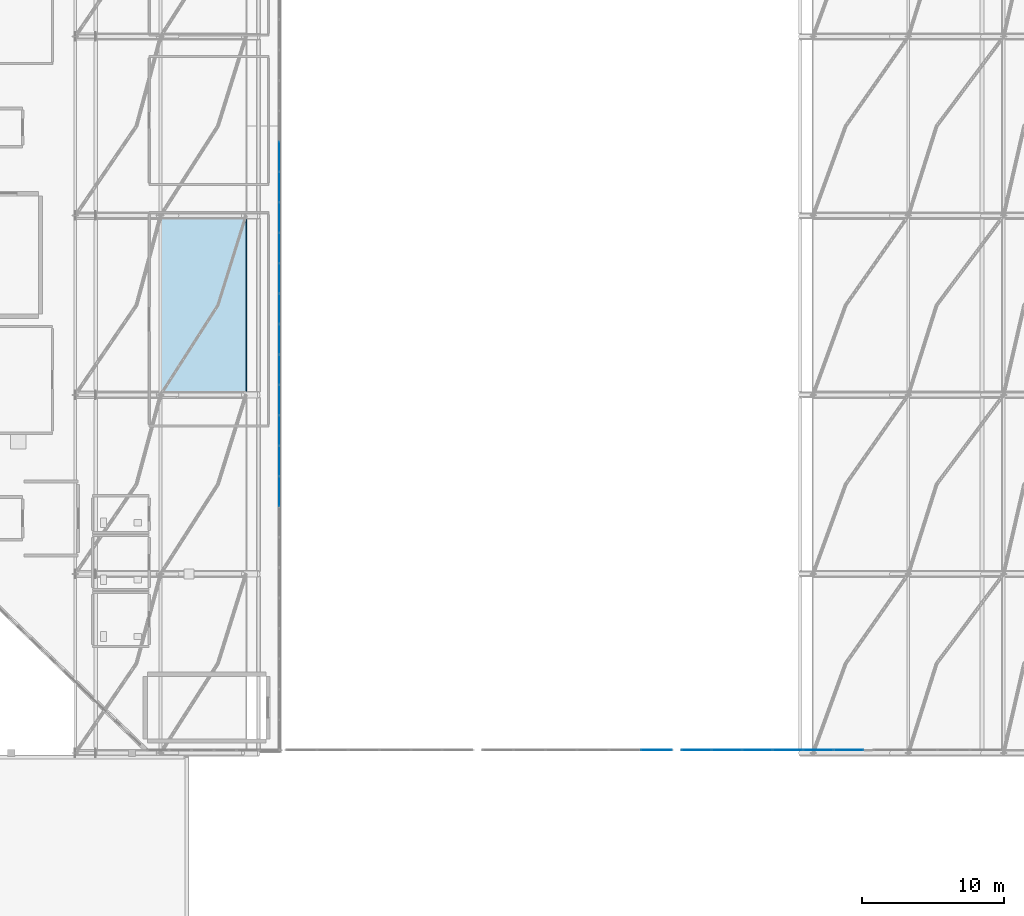
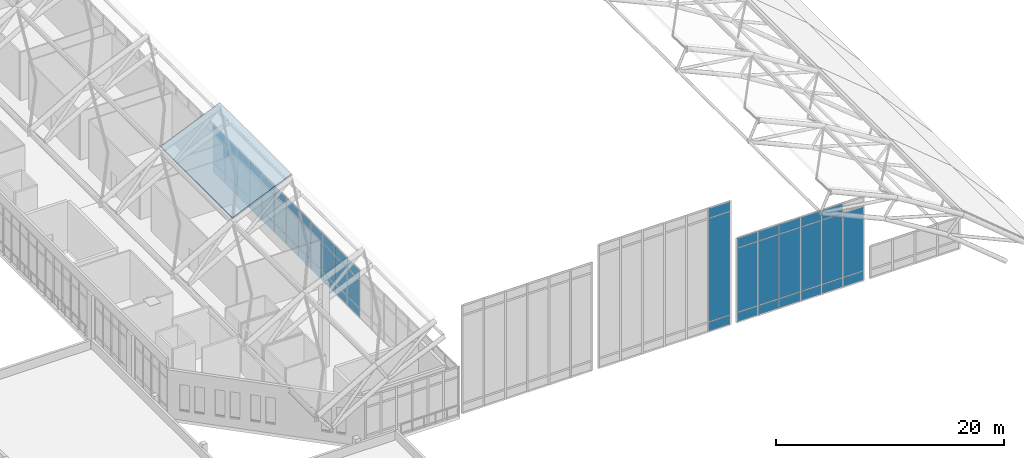
# One storey, part 26 of 42: 56 plates, 1 slab, 3 elements without a shape of their own.
"""IFC4 building model written with IfcOpenShell, lengths in metres."""

from ifc_helpers import new_model, si_unit, derived_unit, direction, frame, origin, origin_2d, place, context, subcontext, project, spatial, polyline, rectangle, outline, extrude, material, layer, layer_set, type_object, element, aggregate, save


model = new_model("IFC4")

# Units and contexts
model_context = context("Model", 3, precision=1e-05, world=origin(), true_north=direction((0.0, 1.0)))
body_context = subcontext(model_context, "Body", "Model", "MODEL_VIEW")
ifc_project = project(units=[si_unit("LENGTHUNIT", "METRE"), si_unit("AREAUNIT", "SQUARE_METRE"), si_unit("VOLUMEUNIT", "CUBIC_METRE"), si_unit("PLANEANGLEUNIT", "RADIAN"), si_unit("MASSUNIT", "GRAM", prefix="KILO"), derived_unit("THERMALTRANSMITTANCEUNIT", [(si_unit("MASSUNIT", "GRAM", prefix="KILO"), 1), (si_unit("TIMEUNIT", "SECOND"), -3), (si_unit("THERMODYNAMICTEMPERATUREUNIT", "KELVIN"), -1)])], contexts=[model_context])

# Site, building, storey
site_placement = place(None, origin())
site = spatial("IfcSite", under=ifc_project, at=site_placement, CompositionType="ELEMENT")
building_placement = place(site_placement, origin())
building = spatial("IfcBuilding", under=site, at=building_placement, Name="Valcora Ridge Arena", CompositionType="ELEMENT")
storey_placement = place(building_placement, frame((0.0, 0.0, 26.39990234375)))
storey = spatial("IfcBuildingStorey", under=building, at=storey_placement, Name="L05", CompositionType="ELEMENT", Elevation=26.39990234375)

# Curtain wall, plates
ifc_material_1 = material(Name="Anodised dark bronze architectural aluminium 6063-T6", Category="aluminium")
ifc_layer_1 = layer(ifc_material_1, 0.179931640625, Name="Anodised dark bronze architectural aluminium 6063-T6")
ifc_layer_set_1 = layer_set([ifc_layer_1], Name="Anodised dark bronze architectural aluminium 6063-T6")
curtain_wall_type_1 = type_object("IfcCurtainWallType", Name="TY-CURTAINWALL-CW-V1-TYMPS-129X90", PredefinedType="NOTDEFINED", material=ifc_layer_set_1)
curtain_wall_1_placement = place(storey_placement, origin())
curtain_wall_1 = element("IfcCurtainWall", 1, at=curtain_wall_1_placement, inside=storey, type_object=curtain_wall_type_1, Name="CW-V1-TYMPS-129X90 CW-0176", PredefinedType="NOTDEFINED")
ifc_material_2 = material(Name="Low-iron solar-control double glazing SHGC 0.28", Category="glass")
ifc_layer_2 = layer(ifc_material_2, 0.031982421875, Name="Low-iron solar-control double glazing SHGC 0.28")
ifc_layer_set_2 = layer_set([ifc_layer_2], Name="Low-iron solar-control double glazing SHGC 0.28")
plate_type_1 = type_object("IfcPlateType", Name="TY-PLT-CWP-2060X0960", PredefinedType="CURTAIN_PANEL", material=ifc_layer_set_2)
plate_1_placement = place(storey_placement, frame((67.68994140625, 20.219970703125, 0.06005859375), z_axis=(0.0, 0.0, 1.0), x_axis=(1.0, 0.0, 0.0)))
plate_1 = element("IfcPlate", 2, at=plate_1_placement, type_object=plate_type_1, Name="CW-0176/P00-00", PredefinedType="CURTAIN_PANEL", context=body_context, shape_type="SweptSolid", body=[
    extrude(rectangle(XDim=2.06005859375, YDim=0.031982421875, at=origin_2d()), origin(), (0.0, 0.0, 1.0), 0.9599609375),
])
plate_2_placement = place(storey_placement, frame((78.409912109375, 20.219970703125, 0.06005859375), z_axis=(0.0, 0.0, 1.0), x_axis=(1.0, 0.0, 0.0)))
plate_2 = element("IfcPlate", 3, at=plate_2_placement, type_object=plate_type_1, Name="CW-0176/P05-00", PredefinedType="CURTAIN_PANEL", context=body_context, shape_type="SweptSolid", body=[
    extrude(rectangle(XDim=2.06005859375, YDim=0.031982421875, at=origin_2d()), origin(), (0.0, 0.0, 1.0), 0.9599609375),
])
ifc_layer_3 = layer(ifc_material_2, 0.031982421875, Name="Low-iron solar-control double glazing SHGC 0.28")
ifc_layer_set_3 = layer_set([ifc_layer_3], Name="Low-iron solar-control double glazing SHGC 0.28")
plate_type_2 = type_object("IfcPlateType", Name="TY-PLT-CWP-2060X1010", PredefinedType="CURTAIN_PANEL", material=ifc_layer_set_3)
plate_3_placement = place(storey_placement, frame((67.68994140625, 20.219970703125, 7.97314453125), z_axis=(0.0, 0.0, 1.0), x_axis=(1.0, 0.0, 0.0)))
plate_3 = element("IfcPlate", 4, at=plate_3_placement, type_object=plate_type_2, Name="CW-0176/P00-02", PredefinedType="CURTAIN_PANEL", context=body_context, shape_type="SweptSolid", body=[
    extrude(rectangle(XDim=2.06005859375, YDim=0.031982421875, at=origin_2d()), origin(), (0.0, 0.0, 1.0), 1.010009765625),
])
ifc_layer_4 = layer(ifc_material_2, 0.031982421875, Name="Low-iron solar-control double glazing SHGC 0.28")
ifc_layer_set_4 = layer_set([ifc_layer_4], Name="Low-iron solar-control double glazing SHGC 0.28")
plate_type_3 = type_object("IfcPlateType", Name="TY-PLT-CWP-2060X6833", PredefinedType="CURTAIN_PANEL", material=ifc_layer_set_4)
plate_4_placement = place(storey_placement, frame((67.68994140625, 20.219970703125, 1.080078125), z_axis=(0.0, 0.0, 1.0), x_axis=(1.0, 0.0, 0.0)))
plate_4 = element("IfcPlate", 5, at=plate_4_placement, type_object=plate_type_3, Name="CW-0176/P00-01", PredefinedType="CURTAIN_PANEL", context=body_context, shape_type="SweptSolid", body=[
    extrude(rectangle(XDim=2.06005859375, YDim=0.031982421875, at=origin_2d()), origin(), (0.0, 0.0, 1.0), 6.8330078125),
])
plate_5_placement = place(storey_placement, frame((78.409912109375, 20.219970703125, 1.080078125), z_axis=(0.0, 0.0, 1.0), x_axis=(1.0, 0.0, 0.0)))
plate_5 = element("IfcPlate", 6, at=plate_5_placement, type_object=plate_type_3, Name="CW-0176/P05-01", PredefinedType="CURTAIN_PANEL", context=body_context, shape_type="SweptSolid", body=[
    extrude(rectangle(XDim=2.06005859375, YDim=0.031982421875, at=origin_2d()), origin(), (0.0, 0.0, 1.0), 6.8330078125),
])
ifc_layer_5 = layer(ifc_material_2, 0.031982421875, Name="Low-iron solar-control double glazing SHGC 0.28")
ifc_layer_set_5 = layer_set([ifc_layer_5], Name="Low-iron solar-control double glazing SHGC 0.28")
plate_type_4 = type_object("IfcPlateType", Name="TY-PLT-CWP-2090X0960", PredefinedType="CURTAIN_PANEL", material=ifc_layer_set_5)
plate_6_placement = place(storey_placement, frame((69.824951171875, 20.219970703125, 0.06005859375), z_axis=(0.0, 0.0, 1.0), x_axis=(1.0, 0.0, 0.0)))
plate_6 = element("IfcPlate", 7, at=plate_6_placement, type_object=plate_type_4, Name="CW-0176/P01-00", PredefinedType="CURTAIN_PANEL", context=body_context, shape_type="SweptSolid", body=[
    extrude(rectangle(XDim=2.090087890625, YDim=0.031982421875, at=origin_2d()), origin(), (0.0, 0.0, 1.0), 0.9599609375),
])
plate_7_placement = place(storey_placement, frame((71.97509765625, 20.219970703125, 0.06005859375), z_axis=(0.0, 0.0, 1.0), x_axis=(1.0, 0.0, 0.0)))
plate_7 = element("IfcPlate", 8, at=plate_7_placement, type_object=plate_type_4, Name="CW-0176/P02-00", PredefinedType="CURTAIN_PANEL", context=body_context, shape_type="SweptSolid", body=[
    extrude(rectangle(XDim=2.090087890625, YDim=0.031982421875, at=origin_2d()), origin(), (0.0, 0.0, 1.0), 0.9599609375),
])
plate_8_placement = place(storey_placement, frame((74.125, 20.219970703125, 0.06005859375), z_axis=(0.0, 0.0, 1.0), x_axis=(1.0, 0.0, 0.0)))
plate_8 = element("IfcPlate", 9, at=plate_8_placement, type_object=plate_type_4, Name="CW-0176/P03-00", PredefinedType="CURTAIN_PANEL", context=body_context, shape_type="SweptSolid", body=[
    extrude(rectangle(XDim=2.090087890625, YDim=0.031982421875, at=origin_2d()), origin(), (0.0, 0.0, 1.0), 0.9599609375),
])
plate_9_placement = place(storey_placement, frame((76.27490234375, 20.219970703125, 0.06005859375), z_axis=(0.0, 0.0, 1.0), x_axis=(1.0, 0.0, 0.0)))
plate_9 = element("IfcPlate", 10, at=plate_9_placement, type_object=plate_type_4, Name="CW-0176/P04-00", PredefinedType="CURTAIN_PANEL", context=body_context, shape_type="SweptSolid", body=[
    extrude(rectangle(XDim=2.090087890625, YDim=0.031982421875, at=origin_2d()), origin(), (0.0, 0.0, 1.0), 0.9599609375),
])
ifc_layer_6 = layer(ifc_material_2, 0.031982421875, Name="Low-iron solar-control double glazing SHGC 0.28")
ifc_layer_set_6 = layer_set([ifc_layer_6], Name="Low-iron solar-control double glazing SHGC 0.28")
plate_type_5 = type_object("IfcPlateType", Name="TY-PLT-CWP-2090X1010", PredefinedType="CURTAIN_PANEL", material=ifc_layer_set_6)
plate_10_placement = place(storey_placement, frame((69.824951171875, 20.219970703125, 7.97314453125), z_axis=(0.0, 0.0, 1.0), x_axis=(1.0, 0.0, 0.0)))
plate_10 = element("IfcPlate", 11, at=plate_10_placement, type_object=plate_type_5, Name="CW-0176/P01-02", PredefinedType="CURTAIN_PANEL", context=body_context, shape_type="SweptSolid", body=[
    extrude(rectangle(XDim=2.090087890625, YDim=0.031982421875, at=origin_2d()), origin(), (0.0, 0.0, 1.0), 1.010009765625),
])
plate_11_placement = place(storey_placement, frame((71.97509765625, 20.219970703125, 7.97314453125), z_axis=(0.0, 0.0, 1.0), x_axis=(1.0, 0.0, 0.0)))
plate_11 = element("IfcPlate", 12, at=plate_11_placement, type_object=plate_type_5, Name="CW-0176/P02-02", PredefinedType="CURTAIN_PANEL", context=body_context, shape_type="SweptSolid", body=[
    extrude(rectangle(XDim=2.090087890625, YDim=0.031982421875, at=origin_2d()), origin(), (0.0, 0.0, 1.0), 1.010009765625),
])
plate_12_placement = place(storey_placement, frame((74.125, 20.219970703125, 7.97314453125), z_axis=(0.0, 0.0, 1.0), x_axis=(1.0, 0.0, 0.0)))
plate_12 = element("IfcPlate", 13, at=plate_12_placement, type_object=plate_type_5, Name="CW-0176/P03-02", PredefinedType="CURTAIN_PANEL", context=body_context, shape_type="SweptSolid", body=[
    extrude(rectangle(XDim=2.090087890625, YDim=0.031982421875, at=origin_2d()), origin(), (0.0, 0.0, 1.0), 1.010009765625),
])
plate_13_placement = place(storey_placement, frame((76.27490234375, 20.219970703125, 7.97314453125), z_axis=(0.0, 0.0, 1.0), x_axis=(1.0, 0.0, 0.0)))
plate_13 = element("IfcPlate", 14, at=plate_13_placement, type_object=plate_type_5, Name="CW-0176/P04-02", PredefinedType="CURTAIN_PANEL", context=body_context, shape_type="SweptSolid", body=[
    extrude(rectangle(XDim=2.090087890625, YDim=0.031982421875, at=origin_2d()), origin(), (0.0, 0.0, 1.0), 1.010009765625),
])
ifc_layer_7 = layer(ifc_material_2, 0.031982421875, Name="Low-iron solar-control double glazing SHGC 0.28")
ifc_layer_set_7 = layer_set([ifc_layer_7], Name="Low-iron solar-control double glazing SHGC 0.28")
plate_type_6 = type_object("IfcPlateType", Name="TY-PLT-CWP-2090X6833", PredefinedType="CURTAIN_PANEL", material=ifc_layer_set_7)
plate_14_placement = place(storey_placement, frame((69.824951171875, 20.219970703125, 1.080078125), z_axis=(0.0, 0.0, 1.0), x_axis=(1.0, 0.0, 0.0)))
plate_14 = element("IfcPlate", 15, at=plate_14_placement, type_object=plate_type_6, Name="CW-0176/P01-01", PredefinedType="CURTAIN_PANEL", context=body_context, shape_type="SweptSolid", body=[
    extrude(rectangle(XDim=2.090087890625, YDim=0.031982421875, at=origin_2d()), origin(), (0.0, 0.0, 1.0), 6.8330078125),
])
plate_15_placement = place(storey_placement, frame((71.97509765625, 20.219970703125, 1.080078125), z_axis=(0.0, 0.0, 1.0), x_axis=(1.0, 0.0, 0.0)))
plate_15 = element("IfcPlate", 16, at=plate_15_placement, type_object=plate_type_6, Name="CW-0176/P02-01", PredefinedType="CURTAIN_PANEL", context=body_context, shape_type="SweptSolid", body=[
    extrude(rectangle(XDim=2.090087890625, YDim=0.031982421875, at=origin_2d()), origin(), (0.0, 0.0, 1.0), 6.8330078125),
])
plate_16_placement = place(storey_placement, frame((74.125, 20.219970703125, 1.080078125), z_axis=(0.0, 0.0, 1.0), x_axis=(1.0, 0.0, 0.0)))
plate_16 = element("IfcPlate", 17, at=plate_16_placement, type_object=plate_type_6, Name="CW-0176/P03-01", PredefinedType="CURTAIN_PANEL", context=body_context, shape_type="SweptSolid", body=[
    extrude(rectangle(XDim=2.090087890625, YDim=0.031982421875, at=origin_2d()), origin(), (0.0, 0.0, 1.0), 6.8330078125),
])
plate_17_placement = place(storey_placement, frame((76.27490234375, 20.219970703125, 1.080078125), z_axis=(0.0, 0.0, 1.0), x_axis=(1.0, 0.0, 0.0)))
plate_17 = element("IfcPlate", 18, at=plate_17_placement, type_object=plate_type_6, Name="CW-0176/P04-01", PredefinedType="CURTAIN_PANEL", context=body_context, shape_type="SweptSolid", body=[
    extrude(rectangle(XDim=2.090087890625, YDim=0.031982421875, at=origin_2d()), origin(), (0.0, 0.0, 1.0), 6.8330078125),
])
aggregate(curtain_wall_1, [plate_1, plate_4, plate_3, plate_6, plate_14, plate_10, plate_7, plate_15, plate_11, plate_8, plate_16, plate_12, plate_9, plate_17, plate_13, plate_2, plate_5])

ifc_layer_8 = layer(ifc_material_1, 0.14990234375, Name="Anodised dark bronze architectural aluminium 6063-T6")
ifc_layer_set_8 = layer_set([ifc_layer_8], Name="Anodised dark bronze architectural aluminium 6063-T6")
curtain_wall_type_2 = type_object("IfcCurtainWallType", Name="TY-CURTAINWALL-CW-V1-SKY-878X52", PredefinedType="NOTDEFINED", material=ifc_layer_set_8)
curtain_wall_2_placement = place(storey_placement, origin())
curtain_wall_2 = element("IfcCurtainWall", 19, at=curtain_wall_2_placement, inside=storey, type_object=curtain_wall_type_2, Name="CW-V1-SKY-878X52 CW-0171", PredefinedType="NOTDEFINED")
ifc_layer_9 = layer(ifc_material_2, 0.028076171875, Name="Low-iron solar-control double glazing SHGC 0.28")
ifc_layer_set_9 = layer_set([ifc_layer_9], Name="Low-iron solar-control double glazing SHGC 0.28")
plate_type_7 = type_object("IfcPlateType", Name="TY-PLT-CWP-2091X0975", PredefinedType="CURTAIN_PANEL", material=ifc_layer_set_9)
plate_18_placement = place(storey_placement, frame((38.35009765625, 38.402587890625, 0.050048828125), z_axis=(0.0, 0.0, 1.0), x_axis=(0.0, 1.0, 0.0)))
plate_18 = element("IfcPlate", 20, at=plate_18_placement, type_object=plate_type_7, Name="CW-0171/P08-00", PredefinedType="CURTAIN_PANEL", context=body_context, shape_type="SweptSolid", body=[
    extrude(rectangle(XDim=2.091064453125, YDim=0.028076171875, at=origin_2d()), origin(), (0.0, 0.0, 1.0), 0.97509765625),
])
plate_19_placement = place(storey_placement, frame((38.35009765625, 42.685546875, 0.050048828125), z_axis=(0.0, 0.0, 1.0), x_axis=(0.0, 1.0, 0.0)))
plate_19 = element("IfcPlate", 21, at=plate_19_placement, type_object=plate_type_7, Name="CW-0171/P10-00", PredefinedType="CURTAIN_PANEL", context=body_context, shape_type="SweptSolid", body=[
    extrude(rectangle(XDim=2.091064453125, YDim=0.028076171875, at=origin_2d()), origin(), (0.0, 0.0, 1.0), 0.97509765625),
])
plate_20_placement = place(storey_placement, frame((38.35009765625, 46.968505859375, 0.050048828125), z_axis=(0.0, 0.0, 1.0), x_axis=(0.0, 1.0, 0.0)))
plate_20 = element("IfcPlate", 22, at=plate_20_placement, type_object=plate_type_7, Name="CW-0171/P12-00", PredefinedType="CURTAIN_PANEL", context=body_context, shape_type="SweptSolid", body=[
    extrude(rectangle(XDim=2.091064453125, YDim=0.028076171875, at=origin_2d()), origin(), (0.0, 0.0, 1.0), 0.97509765625),
])
plate_21_placement = place(storey_placement, frame((38.35009765625, 49.109619140625, 0.050048828125), z_axis=(0.0, 0.0, 1.0), x_axis=(0.0, 1.0, 0.0)))
plate_21 = element("IfcPlate", 23, at=plate_21_placement, type_object=plate_type_7, Name="CW-0171/P13-00", PredefinedType="CURTAIN_PANEL", context=body_context, shape_type="SweptSolid", body=[
    extrude(rectangle(XDim=2.091064453125, YDim=0.028076171875, at=origin_2d()), origin(), (0.0, 0.0, 1.0), 0.97509765625),
])
plate_22_placement = place(storey_placement, frame((38.35009765625, 53.392578125, 0.050048828125), z_axis=(0.0, 0.0, 1.0), x_axis=(0.0, 1.0, 0.0)))
plate_22 = element("IfcPlate", 24, at=plate_22_placement, type_object=plate_type_7, Name="CW-0171/P15-00", PredefinedType="CURTAIN_PANEL", context=body_context, shape_type="SweptSolid", body=[
    extrude(rectangle(XDim=2.091064453125, YDim=0.028076171875, at=origin_2d()), origin(), (0.0, 0.0, 1.0), 0.97509765625),
])
plate_23_placement = place(storey_placement, frame((38.35009765625, 57.675537109375, 0.050048828125), z_axis=(0.0, 0.0, 1.0), x_axis=(0.0, 1.0, 0.0)))
plate_23 = element("IfcPlate", 25, at=plate_23_placement, type_object=plate_type_7, Name="CW-0171/P17-00", PredefinedType="CURTAIN_PANEL", context=body_context, shape_type="SweptSolid", body=[
    extrude(rectangle(XDim=2.091064453125, YDim=0.028076171875, at=origin_2d()), origin(), (0.0, 0.0, 1.0), 0.97509765625),
])
plate_24_placement = place(storey_placement, frame((38.35009765625, 61.95849609375, 0.050048828125), z_axis=(0.0, 0.0, 1.0), x_axis=(0.0, 1.0, 0.0)))
plate_24 = element("IfcPlate", 26, at=plate_24_placement, type_object=plate_type_7, Name="CW-0171/P19-00", PredefinedType="CURTAIN_PANEL", context=body_context, shape_type="SweptSolid", body=[
    extrude(rectangle(XDim=2.091064453125, YDim=0.028076171875, at=origin_2d()), origin(), (0.0, 0.0, 1.0), 0.97509765625),
])
ifc_layer_10 = layer(ifc_material_2, 0.028076171875, Name="Low-iron solar-control double glazing SHGC 0.28")
ifc_layer_set_10 = layer_set([ifc_layer_10], Name="Low-iron solar-control double glazing SHGC 0.28")
plate_type_8 = type_object("IfcPlateType", Name="TY-PLT-CWP-2091X1025", PredefinedType="CURTAIN_PANEL", material=ifc_layer_set_10)
plate_25_placement = place(storey_placement, frame((38.35009765625, 38.402587890625, 4.105224609375), z_axis=(0.0, 0.0, 1.0), x_axis=(0.0, 1.0, 0.0)))
plate_25 = element("IfcPlate", 27, at=plate_25_placement, type_object=plate_type_8, Name="CW-0171/P08-02", PredefinedType="CURTAIN_PANEL", context=body_context, shape_type="SweptSolid", body=[
    extrude(rectangle(XDim=2.091064453125, YDim=0.028076171875, at=origin_2d()), origin(), (0.0, 0.0, 1.0), 1.02490234375),
])
plate_26_placement = place(storey_placement, frame((38.35009765625, 42.685546875, 4.105224609375), z_axis=(0.0, 0.0, 1.0), x_axis=(0.0, 1.0, 0.0)))
plate_26 = element("IfcPlate", 28, at=plate_26_placement, type_object=plate_type_8, Name="CW-0171/P10-02", PredefinedType="CURTAIN_PANEL", context=body_context, shape_type="SweptSolid", body=[
    extrude(rectangle(XDim=2.091064453125, YDim=0.028076171875, at=origin_2d()), origin(), (0.0, 0.0, 1.0), 1.02490234375),
])
plate_27_placement = place(storey_placement, frame((38.35009765625, 46.968505859375, 4.105224609375), z_axis=(0.0, 0.0, 1.0), x_axis=(0.0, 1.0, 0.0)))
plate_27 = element("IfcPlate", 29, at=plate_27_placement, type_object=plate_type_8, Name="CW-0171/P12-02", PredefinedType="CURTAIN_PANEL", context=body_context, shape_type="SweptSolid", body=[
    extrude(rectangle(XDim=2.091064453125, YDim=0.028076171875, at=origin_2d()), origin(), (0.0, 0.0, 1.0), 1.02490234375),
])
plate_28_placement = place(storey_placement, frame((38.35009765625, 49.109619140625, 4.105224609375), z_axis=(0.0, 0.0, 1.0), x_axis=(0.0, 1.0, 0.0)))
plate_28 = element("IfcPlate", 30, at=plate_28_placement, type_object=plate_type_8, Name="CW-0171/P13-02", PredefinedType="CURTAIN_PANEL", context=body_context, shape_type="SweptSolid", body=[
    extrude(rectangle(XDim=2.091064453125, YDim=0.028076171875, at=origin_2d()), origin(), (0.0, 0.0, 1.0), 1.02490234375),
])
plate_29_placement = place(storey_placement, frame((38.35009765625, 53.392578125, 4.105224609375), z_axis=(0.0, 0.0, 1.0), x_axis=(0.0, 1.0, 0.0)))
plate_29 = element("IfcPlate", 31, at=plate_29_placement, type_object=plate_type_8, Name="CW-0171/P15-02", PredefinedType="CURTAIN_PANEL", context=body_context, shape_type="SweptSolid", body=[
    extrude(rectangle(XDim=2.091064453125, YDim=0.028076171875, at=origin_2d()), origin(), (0.0, 0.0, 1.0), 1.02490234375),
])
plate_30_placement = place(storey_placement, frame((38.35009765625, 57.675537109375, 4.105224609375), z_axis=(0.0, 0.0, 1.0), x_axis=(0.0, 1.0, 0.0)))
plate_30 = element("IfcPlate", 32, at=plate_30_placement, type_object=plate_type_8, Name="CW-0171/P17-02", PredefinedType="CURTAIN_PANEL", context=body_context, shape_type="SweptSolid", body=[
    extrude(rectangle(XDim=2.091064453125, YDim=0.028076171875, at=origin_2d()), origin(), (0.0, 0.0, 1.0), 1.02490234375),
])
plate_31_placement = place(storey_placement, frame((38.35009765625, 61.95849609375, 4.105224609375), z_axis=(0.0, 0.0, 1.0), x_axis=(0.0, 1.0, 0.0)))
plate_31 = element("IfcPlate", 33, at=plate_31_placement, type_object=plate_type_8, Name="CW-0171/P19-02", PredefinedType="CURTAIN_PANEL", context=body_context, shape_type="SweptSolid", body=[
    extrude(rectangle(XDim=2.091064453125, YDim=0.028076171875, at=origin_2d()), origin(), (0.0, 0.0, 1.0), 1.02490234375),
])
ifc_layer_11 = layer(ifc_material_2, 0.028076171875, Name="Low-iron solar-control double glazing SHGC 0.28")
ifc_layer_set_11 = layer_set([ifc_layer_11], Name="Low-iron solar-control double glazing SHGC 0.28")
plate_type_9 = type_object("IfcPlateType", Name="TY-PLT-CWP-2091X2980", PredefinedType="CURTAIN_PANEL", material=ifc_layer_set_11)
plate_32_placement = place(storey_placement, frame((38.35009765625, 38.402587890625, 1.0751953125), z_axis=(0.0, 0.0, 1.0), x_axis=(0.0, 1.0, 0.0)))
plate_32 = element("IfcPlate", 34, at=plate_32_placement, type_object=plate_type_9, Name="CW-0171/P08-01", PredefinedType="CURTAIN_PANEL", context=body_context, shape_type="SweptSolid", body=[
    extrude(rectangle(XDim=2.091064453125, YDim=0.028076171875, at=origin_2d()), origin(), (0.0, 0.0, 1.0), 2.97998046875),
])
plate_33_placement = place(storey_placement, frame((38.35009765625, 42.685546875, 1.0751953125), z_axis=(0.0, 0.0, 1.0), x_axis=(0.0, 1.0, 0.0)))
plate_33 = element("IfcPlate", 35, at=plate_33_placement, type_object=plate_type_9, Name="CW-0171/P10-01", PredefinedType="CURTAIN_PANEL", context=body_context, shape_type="SweptSolid", body=[
    extrude(rectangle(XDim=2.091064453125, YDim=0.028076171875, at=origin_2d()), origin(), (0.0, 0.0, 1.0), 2.97998046875),
])
plate_34_placement = place(storey_placement, frame((38.35009765625, 46.968505859375, 1.0751953125), z_axis=(0.0, 0.0, 1.0), x_axis=(0.0, 1.0, 0.0)))
plate_34 = element("IfcPlate", 36, at=plate_34_placement, type_object=plate_type_9, Name="CW-0171/P12-01", PredefinedType="CURTAIN_PANEL", context=body_context, shape_type="SweptSolid", body=[
    extrude(rectangle(XDim=2.091064453125, YDim=0.028076171875, at=origin_2d()), origin(), (0.0, 0.0, 1.0), 2.97998046875),
])
plate_35_placement = place(storey_placement, frame((38.35009765625, 49.109619140625, 1.0751953125), z_axis=(0.0, 0.0, 1.0), x_axis=(0.0, 1.0, 0.0)))
plate_35 = element("IfcPlate", 37, at=plate_35_placement, type_object=plate_type_9, Name="CW-0171/P13-01", PredefinedType="CURTAIN_PANEL", context=body_context, shape_type="SweptSolid", body=[
    extrude(rectangle(XDim=2.091064453125, YDim=0.028076171875, at=origin_2d()), origin(), (0.0, 0.0, 1.0), 2.97998046875),
])
plate_36_placement = place(storey_placement, frame((38.35009765625, 53.392578125, 1.0751953125), z_axis=(0.0, 0.0, 1.0), x_axis=(0.0, 1.0, 0.0)))
plate_36 = element("IfcPlate", 38, at=plate_36_placement, type_object=plate_type_9, Name="CW-0171/P15-01", PredefinedType="CURTAIN_PANEL", context=body_context, shape_type="SweptSolid", body=[
    extrude(rectangle(XDim=2.091064453125, YDim=0.028076171875, at=origin_2d()), origin(), (0.0, 0.0, 1.0), 2.97998046875),
])
plate_37_placement = place(storey_placement, frame((38.35009765625, 57.675537109375, 1.0751953125), z_axis=(0.0, 0.0, 1.0), x_axis=(0.0, 1.0, 0.0)))
plate_37 = element("IfcPlate", 39, at=plate_37_placement, type_object=plate_type_9, Name="CW-0171/P17-01", PredefinedType="CURTAIN_PANEL", context=body_context, shape_type="SweptSolid", body=[
    extrude(rectangle(XDim=2.091064453125, YDim=0.028076171875, at=origin_2d()), origin(), (0.0, 0.0, 1.0), 2.97998046875),
])
plate_38_placement = place(storey_placement, frame((38.35009765625, 61.95849609375, 1.0751953125), z_axis=(0.0, 0.0, 1.0), x_axis=(0.0, 1.0, 0.0)))
plate_38 = element("IfcPlate", 40, at=plate_38_placement, type_object=plate_type_9, Name="CW-0171/P19-01", PredefinedType="CURTAIN_PANEL", context=body_context, shape_type="SweptSolid", body=[
    extrude(rectangle(XDim=2.091064453125, YDim=0.028076171875, at=origin_2d()), origin(), (0.0, 0.0, 1.0), 2.97998046875),
])
ifc_layer_12 = layer(ifc_material_2, 0.028076171875, Name="Low-iron solar-control double glazing SHGC 0.28")
ifc_layer_set_12 = layer_set([ifc_layer_12], Name="Low-iron solar-control double glazing SHGC 0.28")
plate_type_10 = type_object("IfcPlateType", Name="TY-PLT-CWP-2092X0975", PredefinedType="CURTAIN_PANEL", material=ifc_layer_set_12)
plate_39_placement = place(storey_placement, frame((38.35009765625, 40.5439453125, 0.050048828125), z_axis=(0.0, 0.0, 1.0), x_axis=(0.0, 1.0, 0.0)))
plate_39 = element("IfcPlate", 41, at=plate_39_placement, type_object=plate_type_10, Name="CW-0171/P09-00", PredefinedType="CURTAIN_PANEL", context=body_context, shape_type="SweptSolid", body=[
    extrude(rectangle(XDim=2.092041015625, YDim=0.028076171875, at=origin_2d()), origin(), (0.0, 0.0, 1.0), 0.97509765625),
])
plate_40_placement = place(storey_placement, frame((38.35009765625, 44.826904296875, 0.050048828125), z_axis=(0.0, 0.0, 1.0), x_axis=(0.0, 1.0, 0.0)))
plate_40 = element("IfcPlate", 42, at=plate_40_placement, type_object=plate_type_10, Name="CW-0171/P11-00", PredefinedType="CURTAIN_PANEL", context=body_context, shape_type="SweptSolid", body=[
    extrude(rectangle(XDim=2.092041015625, YDim=0.028076171875, at=origin_2d()), origin(), (0.0, 0.0, 1.0), 0.97509765625),
])
plate_41_placement = place(storey_placement, frame((38.35009765625, 51.2509765625, 0.050048828125), z_axis=(0.0, 0.0, 1.0), x_axis=(0.0, 1.0, 0.0)))
plate_41 = element("IfcPlate", 43, at=plate_41_placement, type_object=plate_type_10, Name="CW-0171/P14-00", PredefinedType="CURTAIN_PANEL", context=body_context, shape_type="SweptSolid", body=[
    extrude(rectangle(XDim=2.092041015625, YDim=0.028076171875, at=origin_2d()), origin(), (0.0, 0.0, 1.0), 0.97509765625),
])
plate_42_placement = place(storey_placement, frame((38.35009765625, 55.533935546875, 0.050048828125), z_axis=(0.0, 0.0, 1.0), x_axis=(0.0, 1.0, 0.0)))
plate_42 = element("IfcPlate", 44, at=plate_42_placement, type_object=plate_type_10, Name="CW-0171/P16-00", PredefinedType="CURTAIN_PANEL", context=body_context, shape_type="SweptSolid", body=[
    extrude(rectangle(XDim=2.092041015625, YDim=0.028076171875, at=origin_2d()), origin(), (0.0, 0.0, 1.0), 0.97509765625),
])
plate_43_placement = place(storey_placement, frame((38.35009765625, 59.81689453125, 0.050048828125), z_axis=(0.0, 0.0, 1.0), x_axis=(0.0, 1.0, 0.0)))
plate_43 = element("IfcPlate", 45, at=plate_43_placement, type_object=plate_type_10, Name="CW-0171/P18-00", PredefinedType="CURTAIN_PANEL", context=body_context, shape_type="SweptSolid", body=[
    extrude(rectangle(XDim=2.092041015625, YDim=0.028076171875, at=origin_2d()), origin(), (0.0, 0.0, 1.0), 0.97509765625),
])
ifc_layer_13 = layer(ifc_material_2, 0.028076171875, Name="Low-iron solar-control double glazing SHGC 0.28")
ifc_layer_set_13 = layer_set([ifc_layer_13], Name="Low-iron solar-control double glazing SHGC 0.28")
plate_type_11 = type_object("IfcPlateType", Name="TY-PLT-CWP-2092X1025", PredefinedType="CURTAIN_PANEL", material=ifc_layer_set_13)
plate_44_placement = place(storey_placement, frame((38.35009765625, 40.5439453125, 4.105224609375), z_axis=(0.0, 0.0, 1.0), x_axis=(0.0, 1.0, 0.0)))
plate_44 = element("IfcPlate", 46, at=plate_44_placement, type_object=plate_type_11, Name="CW-0171/P09-02", PredefinedType="CURTAIN_PANEL", context=body_context, shape_type="SweptSolid", body=[
    extrude(rectangle(XDim=2.092041015625, YDim=0.028076171875, at=origin_2d()), origin(), (0.0, 0.0, 1.0), 1.02490234375),
])
plate_45_placement = place(storey_placement, frame((38.35009765625, 44.826904296875, 4.105224609375), z_axis=(0.0, 0.0, 1.0), x_axis=(0.0, 1.0, 0.0)))
plate_45 = element("IfcPlate", 47, at=plate_45_placement, type_object=plate_type_11, Name="CW-0171/P11-02", PredefinedType="CURTAIN_PANEL", context=body_context, shape_type="SweptSolid", body=[
    extrude(rectangle(XDim=2.092041015625, YDim=0.028076171875, at=origin_2d()), origin(), (0.0, 0.0, 1.0), 1.02490234375),
])
plate_46_placement = place(storey_placement, frame((38.35009765625, 51.2509765625, 4.105224609375), z_axis=(0.0, 0.0, 1.0), x_axis=(0.0, 1.0, 0.0)))
plate_46 = element("IfcPlate", 48, at=plate_46_placement, type_object=plate_type_11, Name="CW-0171/P14-02", PredefinedType="CURTAIN_PANEL", context=body_context, shape_type="SweptSolid", body=[
    extrude(rectangle(XDim=2.092041015625, YDim=0.028076171875, at=origin_2d()), origin(), (0.0, 0.0, 1.0), 1.02490234375),
])
plate_47_placement = place(storey_placement, frame((38.35009765625, 55.533935546875, 4.105224609375), z_axis=(0.0, 0.0, 1.0), x_axis=(0.0, 1.0, 0.0)))
plate_47 = element("IfcPlate", 49, at=plate_47_placement, type_object=plate_type_11, Name="CW-0171/P16-02", PredefinedType="CURTAIN_PANEL", context=body_context, shape_type="SweptSolid", body=[
    extrude(rectangle(XDim=2.092041015625, YDim=0.028076171875, at=origin_2d()), origin(), (0.0, 0.0, 1.0), 1.02490234375),
])
plate_48_placement = place(storey_placement, frame((38.35009765625, 59.81689453125, 4.105224609375), z_axis=(0.0, 0.0, 1.0), x_axis=(0.0, 1.0, 0.0)))
plate_48 = element("IfcPlate", 50, at=plate_48_placement, type_object=plate_type_11, Name="CW-0171/P18-02", PredefinedType="CURTAIN_PANEL", context=body_context, shape_type="SweptSolid", body=[
    extrude(rectangle(XDim=2.092041015625, YDim=0.028076171875, at=origin_2d()), origin(), (0.0, 0.0, 1.0), 1.02490234375),
])
ifc_layer_14 = layer(ifc_material_2, 0.028076171875, Name="Low-iron solar-control double glazing SHGC 0.28")
ifc_layer_set_14 = layer_set([ifc_layer_14], Name="Low-iron solar-control double glazing SHGC 0.28")
plate_type_12 = type_object("IfcPlateType", Name="TY-PLT-CWP-2092X2980", PredefinedType="CURTAIN_PANEL", material=ifc_layer_set_14)
plate_49_placement = place(storey_placement, frame((38.35009765625, 40.5439453125, 1.0751953125), z_axis=(0.0, 0.0, 1.0), x_axis=(0.0, 1.0, 0.0)))
plate_49 = element("IfcPlate", 51, at=plate_49_placement, type_object=plate_type_12, Name="CW-0171/P09-01", PredefinedType="CURTAIN_PANEL", context=body_context, shape_type="SweptSolid", body=[
    extrude(rectangle(XDim=2.092041015625, YDim=0.028076171875, at=origin_2d()), origin(), (0.0, 0.0, 1.0), 2.97998046875),
])
plate_50_placement = place(storey_placement, frame((38.35009765625, 44.826904296875, 1.0751953125), z_axis=(0.0, 0.0, 1.0), x_axis=(0.0, 1.0, 0.0)))
plate_50 = element("IfcPlate", 52, at=plate_50_placement, type_object=plate_type_12, Name="CW-0171/P11-01", PredefinedType="CURTAIN_PANEL", context=body_context, shape_type="SweptSolid", body=[
    extrude(rectangle(XDim=2.092041015625, YDim=0.028076171875, at=origin_2d()), origin(), (0.0, 0.0, 1.0), 2.97998046875),
])
plate_51_placement = place(storey_placement, frame((38.35009765625, 51.2509765625, 1.0751953125), z_axis=(0.0, 0.0, 1.0), x_axis=(0.0, 1.0, 0.0)))
plate_51 = element("IfcPlate", 53, at=plate_51_placement, type_object=plate_type_12, Name="CW-0171/P14-01", PredefinedType="CURTAIN_PANEL", context=body_context, shape_type="SweptSolid", body=[
    extrude(rectangle(XDim=2.092041015625, YDim=0.028076171875, at=origin_2d()), origin(), (0.0, 0.0, 1.0), 2.97998046875),
])
plate_52_placement = place(storey_placement, frame((38.35009765625, 55.533935546875, 1.0751953125), z_axis=(0.0, 0.0, 1.0), x_axis=(0.0, 1.0, 0.0)))
plate_52 = element("IfcPlate", 54, at=plate_52_placement, type_object=plate_type_12, Name="CW-0171/P16-01", PredefinedType="CURTAIN_PANEL", context=body_context, shape_type="SweptSolid", body=[
    extrude(rectangle(XDim=2.092041015625, YDim=0.028076171875, at=origin_2d()), origin(), (0.0, 0.0, 1.0), 2.97998046875),
])
plate_53_placement = place(storey_placement, frame((38.35009765625, 59.81689453125, 1.0751953125), z_axis=(0.0, 0.0, 1.0), x_axis=(0.0, 1.0, 0.0)))
plate_53 = element("IfcPlate", 55, at=plate_53_placement, type_object=plate_type_12, Name="CW-0171/P18-01", PredefinedType="CURTAIN_PANEL", context=body_context, shape_type="SweptSolid", body=[
    extrude(rectangle(XDim=2.092041015625, YDim=0.028076171875, at=origin_2d()), origin(), (0.0, 0.0, 1.0), 2.97998046875),
])
aggregate(curtain_wall_2, [plate_18, plate_32, plate_25, plate_39, plate_49, plate_44, plate_19, plate_33, plate_26, plate_40, plate_50, plate_45, plate_20, plate_34, plate_27, plate_21, plate_35, plate_28, plate_41, plate_51, plate_46, plate_22, plate_36, plate_29, plate_42, plate_52, plate_47, plate_23, plate_37, plate_30, plate_43, plate_53, plate_48, plate_24, plate_38, plate_31])

ifc_layer_15 = layer(ifc_material_1, 0.179931640625, Name="Anodised dark bronze architectural aluminium 6063-T6")
ifc_layer_set_15 = layer_set([ifc_layer_15], Name="Anodised dark bronze architectural aluminium 6063-T6")
curtain_wall_type_3 = type_object("IfcCurtainWallType", Name="TY-CURTAINWALL-CW-V1-TYMPS-134X132", PredefinedType="NOTDEFINED", material=ifc_layer_set_15)
curtain_wall_3_placement = place(storey_placement, origin())
curtain_wall_3 = element("IfcCurtainWall", 56, at=curtain_wall_3_placement, inside=storey, type_object=curtain_wall_type_3, Name="CW-V1-TYMPS-134X132 CW-0174", PredefinedType="NOTDEFINED")
ifc_layer_16 = layer(ifc_material_2, 0.031982421875, Name="Low-iron solar-control double glazing SHGC 0.28")
ifc_layer_set_16 = layer_set([ifc_layer_16], Name="Low-iron solar-control double glazing SHGC 0.28")
plate_type_13 = type_object("IfcPlateType", Name="TY-PLT-CWP-2143X0960", PredefinedType="CURTAIN_PANEL", material=ifc_layer_set_16)
plate_54_placement = place(storey_placement, frame((64.868408203125, 20.219970703125, 0.06005859375), z_axis=(0.0, 0.0, 1.0), x_axis=(1.0, 0.0, 0.0)))
plate_54 = element("IfcPlate", 57, at=plate_54_placement, type_object=plate_type_13, Name="CW-0174/P05-00", PredefinedType="CURTAIN_PANEL", context=body_context, shape_type="SweptSolid", body=[
    extrude(rectangle(XDim=2.14306640625, YDim=0.031982421875, at=origin_2d()), origin(), (0.0, 0.0, 1.0), 0.9599609375),
])
ifc_layer_17 = layer(ifc_material_2, 0.031982421875, Name="Low-iron solar-control double glazing SHGC 0.28")
ifc_layer_set_17 = layer_set([ifc_layer_17], Name="Low-iron solar-control double glazing SHGC 0.28")
plate_type_14 = type_object("IfcPlateType", Name="TY-PLT-CWP-2143X1010", PredefinedType="CURTAIN_PANEL", material=ifc_layer_set_17)
plate_55_placement = place(storey_placement, frame((64.868408203125, 20.219970703125, 12.169921875), z_axis=(0.0, 0.0, 1.0), x_axis=(1.0, 0.0, 0.0)))
plate_55 = element("IfcPlate", 58, at=plate_55_placement, type_object=plate_type_14, Name="CW-0174/P05-02", PredefinedType="CURTAIN_PANEL", context=body_context, shape_type="SweptSolid", body=[
    extrude(rectangle(XDim=2.14306640625, YDim=0.031982421875, at=origin_2d()), origin(), (0.0, 0.0, 1.0), 1.010009765625),
])
ifc_layer_18 = layer(ifc_material_2, 0.031982421875, Name="Low-iron solar-control double glazing SHGC 0.28")
ifc_layer_set_18 = layer_set([ifc_layer_18], Name="Low-iron solar-control double glazing SHGC 0.28")
plate_type_15 = type_object("IfcPlateType", Name="TY-PLT-CWP-2143X11030", PredefinedType="CURTAIN_PANEL", material=ifc_layer_set_18)
plate_56_placement = place(storey_placement, frame((64.868408203125, 20.219970703125, 1.080078125), z_axis=(0.0, 0.0, 1.0), x_axis=(1.0, 0.0, 0.0)))
plate_56 = element("IfcPlate", 59, at=plate_56_placement, type_object=plate_type_15, Name="CW-0174/P05-01", PredefinedType="CURTAIN_PANEL", context=body_context, shape_type="SweptSolid", body=[
    extrude(rectangle(XDim=2.14306640625, YDim=0.031982421875, at=origin_2d()), origin(), (0.0, 0.0, 1.0), 11.030029296875),
])
aggregate(curtain_wall_3, [plate_54, plate_56, plate_55])

# Slab
ifc_material_3 = material(Name="Concrete C40/50", Category="concrete")
ifc_layer_19 = layer(ifc_material_3, 0.219970703125, Name="Concrete C40/50")
ifc_layer_set_19 = layer_set([ifc_layer_19], Name="Concrete C40/50")
slab_type = type_object("IfcSlabType", Name="TY-SLAB-RF-ARC-S02", PredefinedType="ROOF", material=ifc_layer_set_19)
slab_placement = place(storey_placement, frame((30.0, 45.199951171875, 8.882080078125), z_axis=(-0.397337061961, 0.0, 0.917672740792), x_axis=(0.917672740792, 0.0, 0.397337061961)))
element("IfcSlab", 60, at=slab_placement, inside=storey, type_object=slab_type, Name="RF-ARC-S02 SLB-RF-0026", PredefinedType="ROOF", context=body_context, shape_type="SweptSolid", body=[
    extrude(outline(polyline([(0.0, 0.0), (6.5382785532286345, 0.0), (6.5382785532286345, 12.60009765625), (0.0, 12.60009765625), (0.0, 0.0)])), origin(), (0.0, 0.0, -1.0), 0.219970703125),
])

save(model, "model.ifc")
